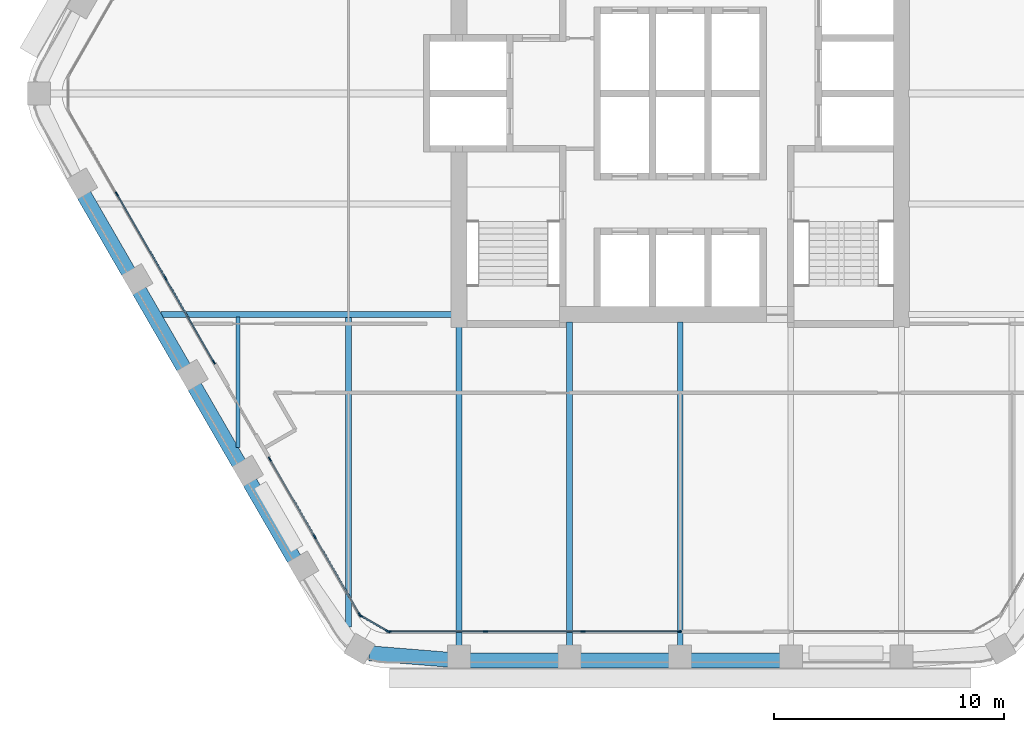
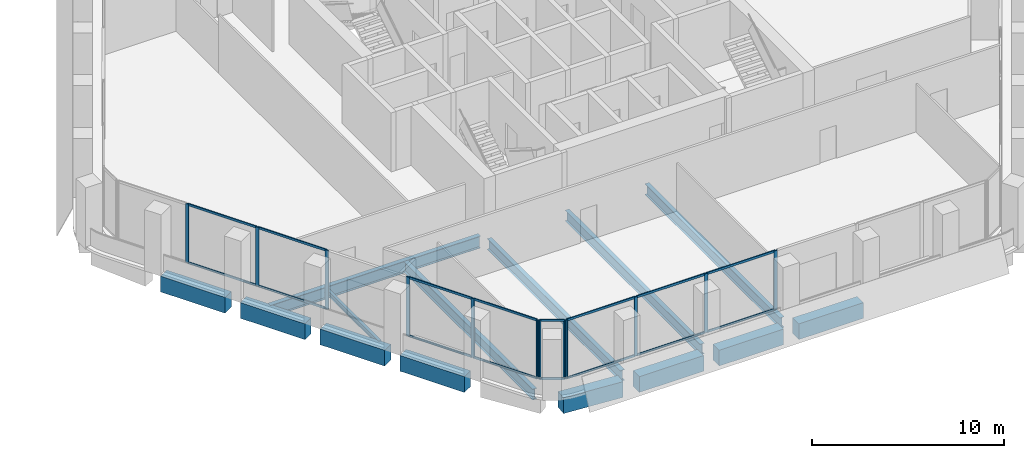
# One storey, part 2 of 17: 28 members, 14 beams, 4 elements without a shape of their own.
"""IFC4 building model written with IfcOpenShell, lengths in metres."""

from ifc_helpers import new_model, si_unit, direction, frame, origin, origin_2d, place, context, subcontext, project, spatial, rectangle, i_section, extrude, material, material_profile, profile_set, type_object, element, aggregate, save


model = new_model("IFC4")

# Units and contexts
model_context = context("Model", 3, precision=1e-05, world=origin(), true_north=direction((0.0, 1.0)))
body_context = subcontext(model_context, "Body", "Model", "MODEL_VIEW")
ifc_project = project(units=[si_unit("LENGTHUNIT", "METRE"), si_unit("AREAUNIT", "SQUARE_METRE"), si_unit("VOLUMEUNIT", "CUBIC_METRE"), si_unit("PLANEANGLEUNIT", "RADIAN"), si_unit("MASSUNIT", "GRAM", prefix="KILO")], contexts=[model_context])

# Site, building, storey
site_placement = place(None, origin())
site = spatial("IfcSite", under=ifc_project, at=site_placement, CompositionType="ELEMENT")
building_placement = place(site_placement, origin())
building = spatial("IfcBuilding", under=site, at=building_placement, Name="Kolab Exchange Tower", CompositionType="ELEMENT")
storey_placement = place(building_placement, frame((0.0, 0.0, 166.10009765625)))
storey = spatial("IfcBuildingStorey", under=building, at=storey_placement, Name="L34", CompositionType="ELEMENT", Elevation=166.10009765625)

# Beams
ifc_material_1 = material(Name="Steel S355", Category="steel")
ifc_material_profile_1 = material_profile(ifc_material_1, i_section(OverallWidth=0.1650390625, OverallDepth=0.31005859375, WebThickness=0.005859375, FlangeThickness=0.009765625, at=origin_2d()), Name="W310X39")
ifc_profile_set_1 = profile_set([ifc_material_profile_1], Name="Steel S355")
beam_type_1 = type_object("IfcBeamType", Name="FLOOR BEAM W310X39", PredefinedType="BEAM", material=ifc_profile_set_1)
beam_1_placement = place(storey_placement, frame((-19.199951171875, -15.36767578125, -0.30517578125), z_axis=(0.0, 1.0, 0.0), x_axis=(-1.0, 0.0, 0.0)))
element("IfcBeam", 1, at=beam_1_placement, inside=storey, type_object=beam_type_1, Name="beam/L34/fr/003", PredefinedType="BEAM", context=body_context, shape_type="SweptSolid", body=[
    extrude(i_section(OverallWidth=0.1650390625, OverallDepth=0.31005859375, WebThickness=0.005859375, FlangeThickness=0.009765625, at=origin_2d()), origin(), (0.0, 0.0, 1.0), 5.674072265625),
])
ifc_material_profile_2 = material_profile(ifc_material_1, i_section(OverallWidth=0.25390625, OverallDepth=0.68408203125, WebThickness=0.012451171875, FlangeThickness=0.018798828125, at=origin_2d()), Name="W690X140")
ifc_profile_set_2 = profile_set([ifc_material_profile_2], Name="Steel S355")
beam_type_2 = type_object("IfcBeamType", Name="FLOOR BEAM W690X140", PredefinedType="BEAM", material=ifc_profile_set_2)
beam_2_placement = place(storey_placement, frame((-14.39990234375, -23.15576171875, -0.4921875), z_axis=(0.0, 1.0, 0.0), x_axis=(-1.0, 0.0, 0.0)))
element("IfcBeam", 2, at=beam_2_placement, inside=storey, type_object=beam_type_2, Name="beam/L34/fr/005", PredefinedType="BEAM", context=body_context, shape_type="SweptSolid", body=[
    extrude(i_section(OverallWidth=0.25390625, OverallDepth=0.68408203125, WebThickness=0.012451171875, FlangeThickness=0.018798828125, at=origin_2d()), origin(), (0.0, 0.0, 1.0), 13.462158203125),
])
beam_3_placement = place(storey_placement, frame((-9.60009765625, -23.9814453125, -0.4921875), z_axis=(0.0, 1.0, 0.0), x_axis=(-1.0, 0.0, 0.0)))
element("IfcBeam", 3, at=beam_3_placement, inside=storey, type_object=beam_type_2, Name="beam/L34/fr/007", PredefinedType="BEAM", context=body_context, shape_type="SweptSolid", body=[
    extrude(i_section(OverallWidth=0.25390625, OverallDepth=0.68408203125, WebThickness=0.012451171875, FlangeThickness=0.018798828125, at=origin_2d()), origin(), (0.0, 0.0, 1.0), 13.871337890625),
])
for number, where, z_axis, x_axis, name in (
    (4, (-4.800048828125, -23.9814453125, -0.4921875), (0.0, 1.0, 0.0), (-1.0, 0.0, 0.0), "beam/L34/fr/011"),
    (5, (0.0, -23.9814453125, -0.4921875), (0.0, 1.0, 0.0), (-1.0, 0.0, 0.0), "beam/L34/fr/015"),
):
    element("IfcBeam", number, at=place(storey_placement, frame(where, z_axis=z_axis, x_axis=x_axis)), inside=storey, type_object=beam_type_2, Name=name, PredefinedType="BEAM", context=body_context, shape_type="SweptSolid", body=[
        extrude(i_section(OverallWidth=0.25390625, OverallDepth=0.68408203125, WebThickness=0.012451171875, FlangeThickness=0.018798828125, at=origin_2d()), origin(), (0.0, 0.0, 1.0), 14.071533203125),
    ])
ifc_material_profile_3 = material_profile(ifc_material_1, i_section(OverallWidth=0.26708984375, OverallDepth=0.761962890625, WebThickness=0.014404296875, FlangeThickness=0.021484375, at=origin_2d()), Name="W760X173")
ifc_profile_set_3 = profile_set([ifc_material_profile_3], Name="Steel S355")
beam_type_3 = type_object("IfcBeamType", Name="FLOOR GIRDER W760X173", PredefinedType="BEAM", material=ifc_profile_set_3)
beam_4_placement = place(storey_placement, frame((-22.546875, -9.60009765625, -0.531005859375), z_axis=(1.0, 0.0, 0.0), x_axis=(0.0, 1.0, 0.0)))
element("IfcBeam", 6, at=beam_4_placement, inside=storey, type_object=beam_type_3, Name="beam/L34/gd/000", PredefinedType="BEAM", context=body_context, shape_type="SweptSolid", body=[
    extrude(i_section(OverallWidth=0.26708984375, OverallDepth=0.761962890625, WebThickness=0.014404296875, FlangeThickness=0.021484375, at=origin_2d()), origin(), (0.0, 0.0, 1.0), 12.636962890625),
])
ifc_material_2 = material(Name="Concrete C60/75", Category="concrete")
ifc_material_profile_4 = material_profile(ifc_material_2, rectangle(XDim=0.64990234375, YDim=1.0, at=origin_2d()), Name="RC650X1000")
ifc_profile_set_4 = profile_set([ifc_material_profile_4], Name="Concrete C60/75")
beam_type_4 = type_object("IfcBeamType", Name="SPANDREL BEAM 650X1000 C60/75", PredefinedType="BEAM", material=ifc_profile_set_4)
for number, where, z_axis, x_axis, name in (
    (7, (4.340087890625, -24.616455078125, -0.650146484375), (-1.0, 0.0, 0.0), (0.0, -1.0, 0.0), "beam/L34/sp/F4-03"),
    (8, (-0.4599609375, -24.616455078125, -0.650146484375), (-1.0, 0.0, 0.0), (0.0, -1.0, 0.0), "beam/L34/sp/F4-04"),
):
    element("IfcBeam", number, at=place(storey_placement, frame(where, z_axis=z_axis, x_axis=x_axis)), inside=storey, type_object=beam_type_4, Name=name, PredefinedType="BEAM", context=body_context, shape_type="SweptSolid", body=[
        extrude(rectangle(XDim=0.64990234375, YDim=1.0, at=origin_2d()), origin(), (0.0, 0.0, 1.0), 3.880126953125),
    ])
beam_5_placement = place(storey_placement, frame((-5.260009765625, -24.616455078125, -0.650146484375), z_axis=(-1.0, 0.0, 0.0), x_axis=(0.0, -1.0, 0.0)))
element("IfcBeam", 9, at=beam_5_placement, inside=storey, type_object=beam_type_4, Name="beam/L34/sp/F4-05", PredefinedType="BEAM", context=body_context, shape_type="SweptSolid", body=[
    extrude(rectangle(XDim=0.64990234375, YDim=1.0, at=origin_2d()), origin(), (0.0, 0.0, 1.0), 3.8798828125),
])
beam_6_placement = place(storey_placement, frame((-10.06005859375, -24.5791015625, -0.650146484375), z_axis=(-0.996708497182, 0.081068931445, 0.0), x_axis=(-0.081068931445, -0.996708497182, 0.0)))
element("IfcBeam", 10, at=beam_6_placement, inside=storey, type_object=beam_type_4, Name="beam/L34/sp/F4-06", PredefinedType="BEAM", context=body_context, shape_type="SweptSolid", body=[
    extrude(rectangle(XDim=0.64990234375, YDim=1.0, at=origin_2d()), origin(), (0.0, 0.0, 1.0), 3.445068359375),
])
beam_7_placement = place(storey_placement, frame((-16.74853515625, -20.2236328125, -0.650146484375), z_axis=(-0.499996613652, 0.866027358884, 0.0), x_axis=(-0.866027358884, -0.499996613652, 0.0)))
element("IfcBeam", 11, at=beam_7_placement, inside=storey, type_object=beam_type_4, Name="beam/L34/sp/F5-02", PredefinedType="BEAM", context=body_context, shape_type="SweptSolid", body=[
    extrude(rectangle(XDim=0.64990234375, YDim=1.0, at=origin_2d()), origin(), (0.0, 0.0, 1.0), 3.8798828125),
])
beam_8_placement = place(storey_placement, frame((-19.1484375, -16.06689453125, -0.650146484375), z_axis=(-0.50001655835, 0.866015843605, 0.0), x_axis=(-0.866015843605, -0.50001655835, 0.0)))
element("IfcBeam", 12, at=beam_8_placement, inside=storey, type_object=beam_type_4, Name="beam/L34/sp/F5-03", PredefinedType="BEAM", context=body_context, shape_type="SweptSolid", body=[
    extrude(rectangle(XDim=0.64990234375, YDim=1.0, at=origin_2d()), origin(), (0.0, 0.0, 1.0), 3.880126953125),
])
for number, where, z_axis, x_axis, name in (
    (13, (-21.548583984375, -11.909912109375, -0.650146484375), (-0.499996613652, 0.866027358884, 0.0), (-0.866027358884, -0.499996613652, 0.0), "beam/L34/sp/F5-04"),
    (14, (-23.948486328125, -7.7529296875, -0.650146484375), (-0.499996613652, 0.866027358884, 0.0), (-0.866027358884, -0.499996613652, 0.0), "beam/L34/sp/F5-05"),
):
    element("IfcBeam", number, at=place(storey_placement, frame(where, z_axis=z_axis, x_axis=x_axis)), inside=storey, type_object=beam_type_4, Name=name, PredefinedType="BEAM", context=body_context, shape_type="SweptSolid", body=[
        extrude(rectangle(XDim=0.64990234375, YDim=1.0, at=origin_2d()), origin(), (0.0, 0.0, 1.0), 3.8798828125),
    ])

# Curtain wall, members
ifc_material_3 = material(Name="Aluminium EN AW-6063 T6", Category="aluminium")
curtain_wall_type = type_object("IfcCurtainWallType", Name="UNITISED UPPER MID ZONE CURTAIN WALL", PredefinedType="NOTDEFINED", material=ifc_material_3)
curtain_wall_1_placement = place(storey_placement, origin())
curtain_wall_1 = element("IfcCurtainWall", 15, at=curtain_wall_1_placement, inside=storey, type_object=curtain_wall_type, Name="cw/L34/F4-2", PredefinedType="NOTDEFINED")
ifc_material_profile_5 = material_profile(ifc_material_3, rectangle(XDim=0.06005859375, YDim=0.199951171875, at=origin_2d()), Name="RECT 60X200")
ifc_profile_set_5 = profile_set([ifc_material_profile_5], Name="Aluminium EN AW-6063 T6")
member_type_1 = type_object("IfcMemberType", Name="UNITISED UPPER MID ZONE MULLION 60 X 200", PredefinedType="MULLION", material=ifc_profile_set_5)
member_1_placement = place(storey_placement, frame((-0.030029296875, -23.361572265625, 0.0), z_axis=(0.0, 0.0, 1.0), x_axis=(0.0, -1.0, 0.0)))
member_1 = element("IfcMember", 16, at=member_1_placement, type_object=member_type_1, Name="CW3 mullion 1", PredefinedType="MULLION", context=body_context, shape_type="SweptSolid", body=[
    extrude(rectangle(XDim=0.06005859375, YDim=0.199951171875, at=origin_2d()), origin(), (0.0, 0.0, 1.0), 3.75),
])
member_2_placement = place(storey_placement, frame((-4.22265625, -23.361572265625, 0.0), z_axis=(0.0, 0.0, 1.0), x_axis=(0.0, -1.0, 0.0)))
member_2 = element("IfcMember", 17, at=member_2_placement, type_object=member_type_1, Name="CW3 mullion 2", PredefinedType="MULLION", context=body_context, shape_type="SweptSolid", body=[
    extrude(rectangle(XDim=0.06005859375, YDim=0.199951171875, at=origin_2d()), origin(), (0.0, 0.0, 1.0), 3.75),
])
member_3_placement = place(storey_placement, frame((-8.4453125, -23.361572265625, 0.0), z_axis=(0.0, 0.0, 1.0), x_axis=(0.0, -1.0, 0.0)))
member_3 = element("IfcMember", 18, at=member_3_placement, type_object=member_type_1, Name="CW3 mullion 3", PredefinedType="MULLION", context=body_context, shape_type="SweptSolid", body=[
    extrude(rectangle(XDim=0.06005859375, YDim=0.199951171875, at=origin_2d()), origin(), (0.0, 0.0, 1.0), 3.75),
])
member_4_placement = place(storey_placement, frame((-12.637939453125, -23.361572265625, 0.0), z_axis=(0.0, 0.0, 1.0), x_axis=(0.0, -1.0, 0.0)))
member_4 = element("IfcMember", 19, at=member_4_placement, type_object=member_type_1, Name="CW3 mullion 4", PredefinedType="MULLION", context=body_context, shape_type="SweptSolid", body=[
    extrude(rectangle(XDim=0.06005859375, YDim=0.199951171875, at=origin_2d()), origin(), (0.0, 0.0, 1.0), 3.75),
])

curtain_wall_2_placement = place(storey_placement, origin())
curtain_wall_2 = element("IfcCurtainWall", 20, at=curtain_wall_2_placement, inside=storey, type_object=curtain_wall_type, Name="cw/L34/F5-1", PredefinedType="NOTDEFINED")
member_5_placement = place(storey_placement, frame((-13.91259765625, -22.62548828125, 0.0), z_axis=(0.0, 0.0, 1.0), x_axis=(-0.866025385493, -0.500000031681, 0.0)))
member_5 = element("IfcMember", 21, at=member_5_placement, type_object=member_type_1, Name="CW3 mullion 1", PredefinedType="MULLION", context=body_context, shape_type="SweptSolid", body=[
    extrude(rectangle(XDim=0.06005859375, YDim=0.199951171875, at=origin_2d()), origin(), (0.0, 0.0, 1.0), 3.75),
])
member_6_placement = place(storey_placement, frame((-15.86474609375, -19.24462890625, 0.0), z_axis=(0.0, 0.0, 1.0), x_axis=(-0.866025385493, -0.500000031681, 0.0)))
member_6 = element("IfcMember", 22, at=member_6_placement, type_object=member_type_1, Name="CW3 mullion 2", PredefinedType="MULLION", context=body_context, shape_type="SweptSolid", body=[
    extrude(rectangle(XDim=0.06005859375, YDim=0.199951171875, at=origin_2d()), origin(), (0.0, 0.0, 1.0), 3.75),
])
member_7_placement = place(storey_placement, frame((-17.816650390625, -15.86376953125, 0.0), z_axis=(0.0, 0.0, 1.0), x_axis=(-0.866025385493, -0.500000031681, 0.0)))
member_7 = element("IfcMember", 23, at=member_7_placement, type_object=member_type_1, Name="CW3 mullion 3", PredefinedType="MULLION", context=body_context, shape_type="SweptSolid", body=[
    extrude(rectangle(XDim=0.06005859375, YDim=0.199951171875, at=origin_2d()), origin(), (0.0, 0.0, 1.0), 3.75),
])

curtain_wall_3_placement = place(storey_placement, origin())
curtain_wall_3 = element("IfcCurtainWall", 24, at=curtain_wall_3_placement, inside=storey, type_object=curtain_wall_type, Name="cw/L34/F5-2", PredefinedType="NOTDEFINED")
member_8_placement = place(storey_placement, frame((-20.24658203125, -11.65478515625, 0.0), z_axis=(0.0, 0.0, 1.0), x_axis=(-0.866025427826, -0.499999958358, 0.0)))
member_8 = element("IfcMember", 25, at=member_8_placement, type_object=member_type_1, Name="CW3 mullion 1", PredefinedType="MULLION", context=body_context, shape_type="SweptSolid", body=[
    extrude(rectangle(XDim=0.06005859375, YDim=0.199951171875, at=origin_2d()), origin(), (0.0, 0.0, 1.0), 3.75),
])
member_9_placement = place(storey_placement, frame((-22.343017578125, -8.02392578125, 0.0), z_axis=(0.0, 0.0, 1.0), x_axis=(-0.866025427826, -0.499999958358, 0.0)))
member_9 = element("IfcMember", 26, at=member_9_placement, type_object=member_type_1, Name="CW3 mullion 2", PredefinedType="MULLION", context=body_context, shape_type="SweptSolid", body=[
    extrude(rectangle(XDim=0.06005859375, YDim=0.199951171875, at=origin_2d()), origin(), (0.0, 0.0, 1.0), 3.75),
])
member_10_placement = place(storey_placement, frame((-24.454345703125, -4.366943359375, 0.0), z_axis=(0.0, 0.0, 1.0), x_axis=(-0.866025427826, -0.499999958358, 0.0)))
member_10 = element("IfcMember", 27, at=member_10_placement, type_object=member_type_1, Name="CW3 mullion 3", PredefinedType="MULLION", context=body_context, shape_type="SweptSolid", body=[
    extrude(rectangle(XDim=0.06005859375, YDim=0.199951171875, at=origin_2d()), origin(), (0.0, 0.0, 1.0), 3.75),
])

curtain_wall_4_placement = place(storey_placement, origin())
curtain_wall_4 = element("IfcCurtainWall", 28, at=curtain_wall_4_placement, inside=storey, type_object=curtain_wall_type, Name="cw/L34/F4F5-corner", PredefinedType="NOTDEFINED")
member_11_placement = place(storey_placement, frame((-12.69384765625, -23.346435546875, 0.0), z_axis=(0.0, 0.0, 1.0), x_axis=(-0.50000002237, -0.866025390869, 0.0)))
member_11 = element("IfcMember", 29, at=member_11_placement, type_object=member_type_1, Name="CW3 mullion 1", PredefinedType="MULLION", context=body_context, shape_type="SweptSolid", body=[
    extrude(rectangle(XDim=0.06005859375, YDim=0.199951171875, at=origin_2d()), origin(), (0.0, 0.0, 1.0), 3.75),
])
member_12_placement = place(storey_placement, frame((-13.871826171875, -22.66650390625, 0.0), z_axis=(0.0, 0.0, 1.0), x_axis=(-0.50000002237, -0.866025390869, 0.0)))
member_12 = element("IfcMember", 30, at=member_12_placement, type_object=member_type_1, Name="CW3 mullion 2", PredefinedType="MULLION", context=body_context, shape_type="SweptSolid", body=[
    extrude(rectangle(XDim=0.06005859375, YDim=0.199951171875, at=origin_2d()), origin(), (0.0, 0.0, 1.0), 3.75),
])

# Member
ifc_material_profile_6 = material_profile(ifc_material_3, rectangle(XDim=0.06005859375, YDim=0.139892578125, at=origin_2d()), Name="RECT 60X140")
ifc_profile_set_6 = profile_set([ifc_material_profile_6], Name="Aluminium EN AW-6063 T6")
member_type_2 = type_object("IfcMemberType", Name="UNITISED UPPER MID ZONE TRANSOM 60 X 140", PredefinedType="USERDEFINED", material=ifc_profile_set_6)
member_13_placement = place(storey_placement, frame((-0.06005859375, -23.361572265625, 0.02978515625), z_axis=(-1.0, 0.0, 0.0), x_axis=(0.0, -1.0, 0.0)))
member_13 = element("IfcMember", 31, at=member_13_placement, type_object=member_type_2, Name="CW3 transom 1.1", ObjectType="TRANSOM", PredefinedType="USERDEFINED", context=body_context, shape_type="SweptSolid", body=[
    extrude(rectangle(XDim=0.06005859375, YDim=0.139892578125, at=origin_2d()), origin(), (0.0, 0.0, 1.0), 4.132568359375),
])

member_14_placement = place(storey_placement, frame((-0.06005859375, -23.361572265625, 3.719970703125), z_axis=(-1.0, 0.0, 0.0), x_axis=(0.0, -1.0, 0.0)))
member_14 = element("IfcMember", 32, at=member_14_placement, type_object=member_type_2, Name="CW3 transom 1.2", ObjectType="TRANSOM", PredefinedType="USERDEFINED", context=body_context, shape_type="SweptSolid", body=[
    extrude(rectangle(XDim=0.06005859375, YDim=0.139892578125, at=origin_2d()), origin(), (0.0, 0.0, 1.0), 4.132568359375),
])

member_15_placement = place(storey_placement, frame((-4.252685546875, -23.361572265625, 0.02978515625), z_axis=(-1.0, 0.0, 0.0), x_axis=(0.0, -1.0, 0.0)))
member_15 = element("IfcMember", 33, at=member_15_placement, type_object=member_type_2, Name="CW3 transom 2.1", ObjectType="TRANSOM", PredefinedType="USERDEFINED", context=body_context, shape_type="SweptSolid", body=[
    extrude(rectangle(XDim=0.06005859375, YDim=0.139892578125, at=origin_2d()), origin(), (0.0, 0.0, 1.0), 4.16259765625),
])

member_16_placement = place(storey_placement, frame((-4.252685546875, -23.361572265625, 3.719970703125), z_axis=(-1.0, 0.0, 0.0), x_axis=(0.0, -1.0, 0.0)))
member_16 = element("IfcMember", 34, at=member_16_placement, type_object=member_type_2, Name="CW3 transom 2.2", ObjectType="TRANSOM", PredefinedType="USERDEFINED", context=body_context, shape_type="SweptSolid", body=[
    extrude(rectangle(XDim=0.06005859375, YDim=0.139892578125, at=origin_2d()), origin(), (0.0, 0.0, 1.0), 4.16259765625),
])

member_17_placement = place(storey_placement, frame((-8.475341796875, -23.361572265625, 0.02978515625), z_axis=(-1.0, 0.0, 0.0), x_axis=(0.0, -1.0, 0.0)))
member_17 = element("IfcMember", 35, at=member_17_placement, type_object=member_type_2, Name="CW3 transom 3.1", ObjectType="TRANSOM", PredefinedType="USERDEFINED", context=body_context, shape_type="SweptSolid", body=[
    extrude(rectangle(XDim=0.06005859375, YDim=0.139892578125, at=origin_2d()), origin(), (0.0, 0.0, 1.0), 4.132568359375),
])

member_18_placement = place(storey_placement, frame((-8.475341796875, -23.361572265625, 3.719970703125), z_axis=(-1.0, 0.0, 0.0), x_axis=(0.0, -1.0, 0.0)))
member_18 = element("IfcMember", 36, at=member_18_placement, type_object=member_type_2, Name="CW3 transom 3.2", ObjectType="TRANSOM", PredefinedType="USERDEFINED", context=body_context, shape_type="SweptSolid", body=[
    extrude(rectangle(XDim=0.06005859375, YDim=0.139892578125, at=origin_2d()), origin(), (0.0, 0.0, 1.0), 4.132568359375),
])

aggregate(curtain_wall_1, [member_1, member_2, member_3, member_4, member_13, member_14, member_15, member_16, member_17, member_18])

member_19_placement = place(storey_placement, frame((-13.927734375, -22.599609375, 0.02978515625), z_axis=(-0.499964356602, 0.866045981532, 0.0), x_axis=(-0.866045981532, -0.499964356602, 0.0)))
member_19 = element("IfcMember", 37, at=member_19_placement, type_object=member_type_2, Name="CW3 transom 1.1", ObjectType="TRANSOM", PredefinedType="USERDEFINED", context=body_context, shape_type="SweptSolid", body=[
    extrude(rectangle(XDim=0.06005859375, YDim=0.139892578125, at=origin_2d()), origin(), (0.0, 0.0, 1.0), 3.843994140625),
])

member_20_placement = place(storey_placement, frame((-13.927734375, -22.599609375, 3.719970703125), z_axis=(-0.499964356602, 0.866045981532, 0.0), x_axis=(-0.866045981532, -0.499964356602, 0.0)))
member_20 = element("IfcMember", 38, at=member_20_placement, type_object=member_type_2, Name="CW3 transom 1.2", ObjectType="TRANSOM", PredefinedType="USERDEFINED", context=body_context, shape_type="SweptSolid", body=[
    extrude(rectangle(XDim=0.06005859375, YDim=0.139892578125, at=origin_2d()), origin(), (0.0, 0.0, 1.0), 3.843994140625),
])

member_21_placement = place(storey_placement, frame((-15.879638671875, -19.21875, 0.02978515625), z_axis=(-0.500011990396, 0.866018481016, 0.0), x_axis=(-0.866018481016, -0.500011990396, 0.0)))
member_21 = element("IfcMember", 39, at=member_21_placement, type_object=member_type_2, Name="CW3 transom 2.1", ObjectType="TRANSOM", PredefinedType="USERDEFINED", context=body_context, shape_type="SweptSolid", body=[
    extrude(rectangle(XDim=0.06005859375, YDim=0.139892578125, at=origin_2d()), origin(), (0.0, 0.0, 1.0), 3.84423828125),
])

member_22_placement = place(storey_placement, frame((-15.879638671875, -19.21875, 3.719970703125), z_axis=(-0.500011990396, 0.866018481016, 0.0), x_axis=(-0.866018481016, -0.500011990396, 0.0)))
member_22 = element("IfcMember", 40, at=member_22_placement, type_object=member_type_2, Name="CW3 transom 2.2", ObjectType="TRANSOM", PredefinedType="USERDEFINED", context=body_context, shape_type="SweptSolid", body=[
    extrude(rectangle(XDim=0.06005859375, YDim=0.139892578125, at=origin_2d()), origin(), (0.0, 0.0, 1.0), 3.84423828125),
])

aggregate(curtain_wall_2, [member_5, member_6, member_7, member_19, member_20, member_21, member_22])

member_23_placement = place(storey_placement, frame((-20.26171875, -11.62890625, 0.02978515625), z_axis=(-0.500001996123, 0.866024251319, 0.0), x_axis=(-0.866024251319, -0.500001996123, 0.0)))
member_23 = element("IfcMember", 41, at=member_23_placement, type_object=member_type_2, Name="CW3 transom 1.1", ObjectType="TRANSOM", PredefinedType="USERDEFINED", context=body_context, shape_type="SweptSolid", body=[
    extrude(rectangle(XDim=0.06005859375, YDim=0.139892578125, at=origin_2d()), origin(), (0.0, 0.0, 1.0), 4.1328125),
])

member_24_placement = place(storey_placement, frame((-20.26171875, -11.62890625, 3.719970703125), z_axis=(-0.500001996123, 0.866024251319, 0.0), x_axis=(-0.866024251319, -0.500001996123, 0.0)))
member_24 = element("IfcMember", 42, at=member_24_placement, type_object=member_type_2, Name="CW3 transom 1.2", ObjectType="TRANSOM", PredefinedType="USERDEFINED", context=body_context, shape_type="SweptSolid", body=[
    extrude(rectangle(XDim=0.06005859375, YDim=0.139892578125, at=origin_2d()), origin(), (0.0, 0.0, 1.0), 4.1328125),
])

member_25_placement = place(storey_placement, frame((-22.35791015625, -7.997802734375, 0.02978515625), z_axis=(-0.49999322259, 0.866029316688, 0.0), x_axis=(-0.866029316688, -0.49999322259, 0.0)))
member_25 = element("IfcMember", 43, at=member_25_placement, type_object=member_type_2, Name="CW3 transom 2.1", ObjectType="TRANSOM", PredefinedType="USERDEFINED", context=body_context, shape_type="SweptSolid", body=[
    extrude(rectangle(XDim=0.06005859375, YDim=0.139892578125, at=origin_2d()), origin(), (0.0, 0.0, 1.0), 4.16259765625),
])

member_26_placement = place(storey_placement, frame((-22.35791015625, -7.997802734375, 3.719970703125), z_axis=(-0.49999322259, 0.866029316688, 0.0), x_axis=(-0.866029316688, -0.49999322259, 0.0)))
member_26 = element("IfcMember", 44, at=member_26_placement, type_object=member_type_2, Name="CW3 transom 2.2", ObjectType="TRANSOM", PredefinedType="USERDEFINED", context=body_context, shape_type="SweptSolid", body=[
    extrude(rectangle(XDim=0.06005859375, YDim=0.139892578125, at=origin_2d()), origin(), (0.0, 0.0, 1.0), 4.16259765625),
])

aggregate(curtain_wall_3, [member_8, member_9, member_10, member_23, member_24, member_25, member_26])

member_27_placement = place(storey_placement, frame((-12.719970703125, -23.33154296875, 0.02978515625), z_axis=(-0.86603858612, 0.49997716683, 0.0), x_axis=(-0.49997716683, -0.86603858612, 0.0)))
member_27 = element("IfcMember", 45, at=member_27_placement, type_object=member_type_2, Name="CW3 transom 1.1", ObjectType="TRANSOM", PredefinedType="USERDEFINED", context=body_context, shape_type="SweptSolid", body=[
    extrude(rectangle(XDim=0.06005859375, YDim=0.139892578125, at=origin_2d()), origin(), (0.0, 0.0, 1.0), 1.2998046875),
])

member_28_placement = place(storey_placement, frame((-12.719970703125, -23.33154296875, 3.719970703125), z_axis=(-0.86603858612, 0.49997716683, 0.0), x_axis=(-0.49997716683, -0.86603858612, 0.0)))
member_28 = element("IfcMember", 46, at=member_28_placement, type_object=member_type_2, Name="CW3 transom 1.2", ObjectType="TRANSOM", PredefinedType="USERDEFINED", context=body_context, shape_type="SweptSolid", body=[
    extrude(rectangle(XDim=0.06005859375, YDim=0.139892578125, at=origin_2d()), origin(), (0.0, 0.0, 1.0), 1.2998046875),
])

aggregate(curtain_wall_4, [member_11, member_12, member_27, member_28])

save(model, "model.ifc")
